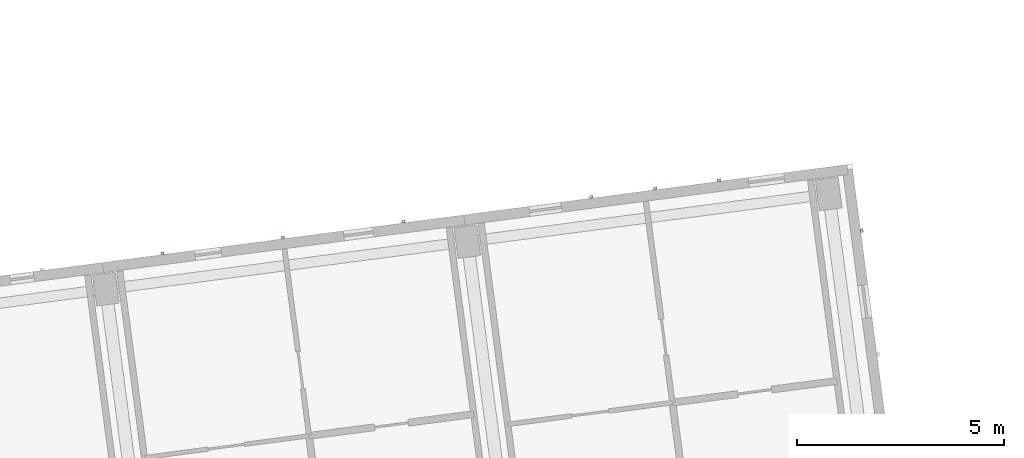
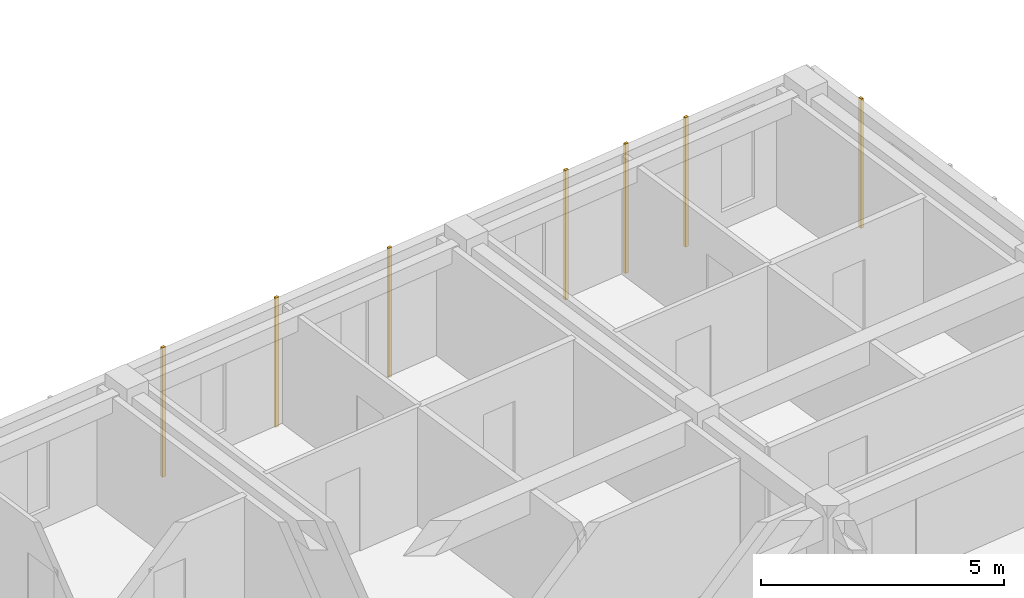
# One storey, part 56 of 65: 7 coverings.
"""IFC4 building model written with IfcOpenShell, lengths in metres."""

from ifc_helpers import new_model, si_unit, direction, frame, origin, origin_2d, place, context, subcontext, project, spatial, rectangle, extrude, material, layer, layer_set, type_object, element, save


model = new_model("IFC4")

# Units and contexts
model_context = context("Model", 3, precision=1e-05, world=origin(), true_north=direction((0.0, 1.0)))
body_context = subcontext(model_context, "Body", "Model", "MODEL_VIEW")
ifc_project = project(units=[si_unit("LENGTHUNIT", "METRE"), si_unit("AREAUNIT", "SQUARE_METRE"), si_unit("VOLUMEUNIT", "CUBIC_METRE"), si_unit("PLANEANGLEUNIT", "RADIAN"), si_unit("MASSUNIT", "GRAM", prefix="KILO")], contexts=[model_context])

# Site, building, storey
site_placement = place(None, origin())
site = spatial("IfcSite", under=ifc_project, at=site_placement, CompositionType="ELEMENT")
building_placement = place(site_placement, origin())
building = spatial("IfcBuilding", under=site, at=building_placement, Name="Kestramere Prow Commons", CompositionType="ELEMENT")
storey_placement = place(building_placement, frame((0.0, 0.0, 21.39990234375)))
storey = spatial("IfcBuildingStorey", under=building, at=storey_placement, Name="L06", CompositionType="ELEMENT", Elevation=21.39990234375)

# Coverings
ifc_material = material(Name="Weathered Zinc-Titanium Standing-Seam Cladding")
ifc_layer = layer(ifc_material, 0.074951171875)
ifc_layer_set = layer_set([ifc_layer], Name="Weathered Zinc-Titanium Standing-Seam Cladding")
covering_type = type_object("IfcCoveringType", Name="COV-CLAD-SEAM", PredefinedType="CLADDING", material=ifc_layer_set)
for number, where, z_axis, x_axis, name in (
    (1, (44.85400390625, 97.28662109375, -0.25), (0.0, 0.0, 1.0), (0.991444861374, 0.13052619222, 0.0), "EW-A-L06-N-4 Standing-Seam Rib 1"),
    (2, (47.76220703125, 97.66943359375, -0.25), (0.0, 0.0, 1.0), (0.991444861374, 0.13052619222, 0.0), "EW-A-L06-N-4 Standing-Seam Rib 3"),
    (3, (50.67041015625, 98.05224609375, -0.25), (0.0, 0.0, 1.0), (0.991444861374, 0.13052619222, 0.0), "EW-A-L06-N-4 Standing-Seam Rib 5"),
    (4, (55.206298828125, 98.6494140625, -0.25), (0.0, 0.0, 1.0), (0.991444861374, 0.13052619222, 0.0), "EW-A-L06-N-5 Standing-Seam Rib 2"),
    (5, (56.747314453125, 98.852294921875, -0.25), (0.0, 0.0, 1.0), (0.991444861374, 0.13052619222, 0.0), "EW-A-L06-N-5 Standing-Seam Rib 3"),
    (6, (58.2880859375, 99.05517578125, -0.25), (0.0, 0.0, 1.0), (0.991444861374, 0.13052619222, 0.0), "EW-A-L06-N-5 Standing-Seam Rib 4"),
    (7, (61.7373046875, 97.8388671875, -0.25), (0.0, 0.0, 1.0), (0.13052619222, -0.991444861374, 0.0), "EW-A-L06-EAV Standing-Seam Rib 1"),
):
    element("IfcCovering", number, at=place(storey_placement, frame(where, z_axis=z_axis, x_axis=x_axis)), inside=storey, type_object=covering_type, Name=name, PredefinedType="CLADDING", context=body_context, shape_type="SweptSolid", body=[
        extrude(rectangle(XDim=0.0849609375, YDim=0.06494140625, at=origin_2d()), origin(), (0.0, 0.0, 1.0), 3.25),
    ])

save(model, "model.ifc")
